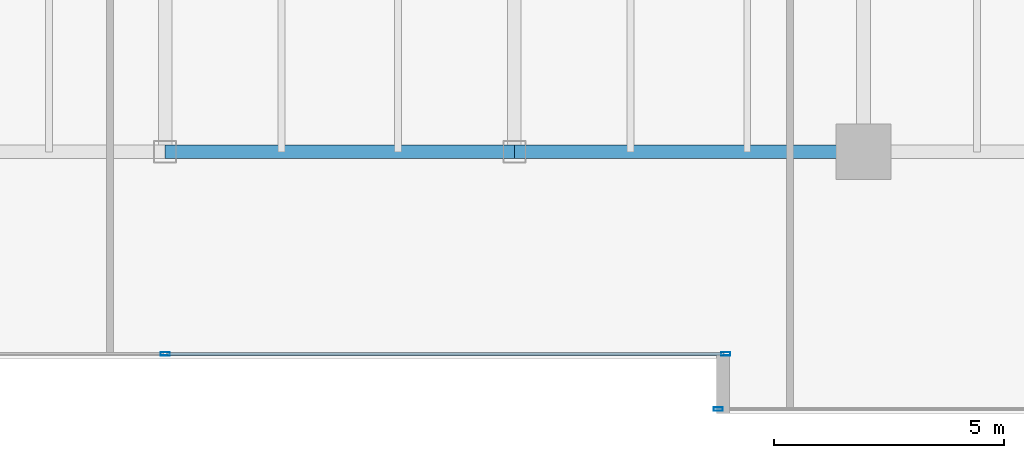
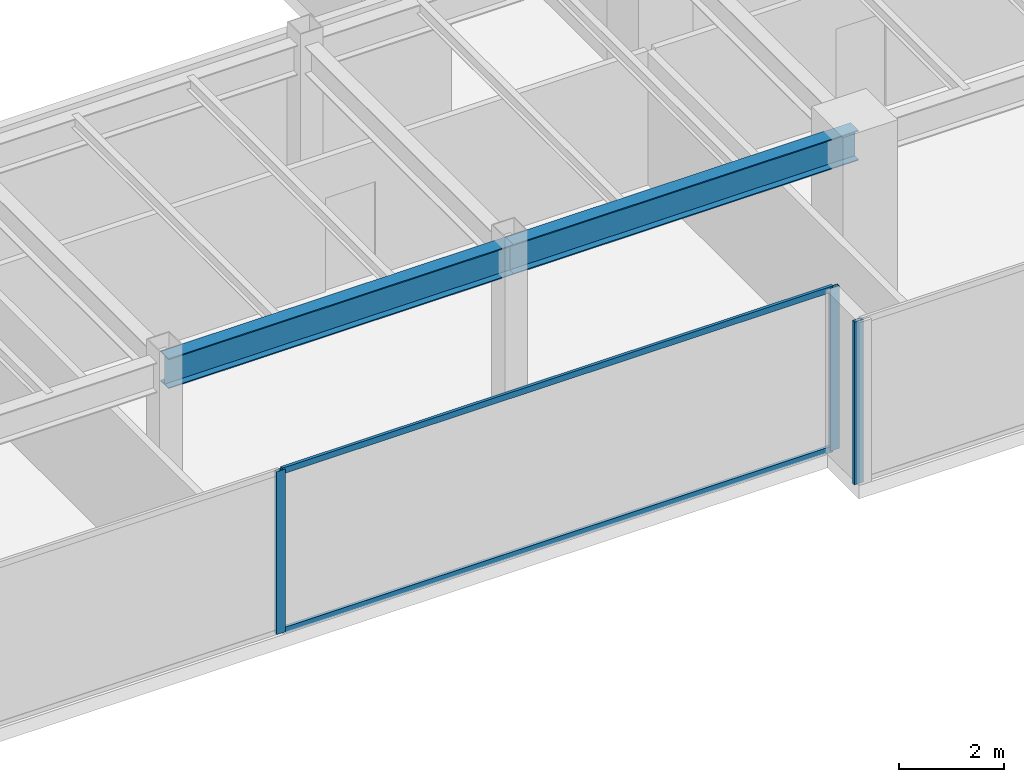
# One storey, part 10 of 30: 5 members, 2 beams, 2 elements without a shape of their own.
"""IFC4 building model written with IfcOpenShell, lengths in metres."""

from ifc_helpers import new_model, si_unit, direction, frame, origin, origin_2d, place, context, subcontext, project, spatial, hollow_rectangle, i_section, extrude, source, transform, mapped, material, layer, layer_set, material_profile, profile_set, type_object, type_shapes, element, aggregate, save


model = new_model("IFC4")

# Units and contexts
model_context = context("Model", 3, precision=1e-05, world=origin(), true_north=direction((0.0, 1.0)))
body_context = subcontext(model_context, "Body", "Model", "MODEL_VIEW")
ifc_project = project(units=[si_unit("LENGTHUNIT", "METRE"), si_unit("AREAUNIT", "SQUARE_METRE"), si_unit("VOLUMEUNIT", "CUBIC_METRE"), si_unit("PLANEANGLEUNIT", "RADIAN"), si_unit("MASSUNIT", "GRAM", prefix="KILO")], contexts=[model_context])

# Site, building, storey
site_placement = place(None, origin())
site = spatial("IfcSite", under=ifc_project, at=site_placement, CompositionType="ELEMENT")
building_placement = place(site_placement, origin())
building = spatial("IfcBuilding", under=site, at=building_placement, Name="Haelvirn Gate Laboratories", CompositionType="ELEMENT")
storey_placement = place(building_placement, frame((0.0, 0.0, 129.699951171875)))
storey = spatial("IfcBuildingStorey", under=building, at=storey_placement, Name="L31", CompositionType="ELEMENT", Elevation=129.699951171875)

# Beams
ifc_material_1 = material(Name="Steel SM355", Category="steel")
ifc_material_profile_1 = material_profile(ifc_material_1, i_section(OverallWidth=0.300048828125, OverallDepth=0.699951171875, WebThickness=0.012939453125, FlangeThickness=0.02392578125, at=origin_2d()), Name="H-700x300x13x24")
ifc_profile_set_1 = profile_set([ifc_material_profile_1], Name="Steel SM355")
beam_type = type_object("IfcBeamType", Name="BM-G-700", PredefinedType="BEAM", material=ifc_profile_set_1)
shared_shape_1 = source(origin(), body_context, "Body", "SweptSolid", [
    extrude(i_section(OverallWidth=0.300048828125, OverallDepth=0.699951171875, WebThickness=0.012939453125, FlangeThickness=0.02392578125, at=origin_2d()), origin(), (0.0, 0.0, 1.0), 7.60009765625),
])
type_shapes(beam_type, [shared_shape_1])
for number, where, z_axis, x_axis, name in (
    (1, (37.39990234375, 7.0, 3.43994140625), (1.0, 0.0, 0.0), (0.0, 1.0, 0.0), "L31 Primary Girder Y7.0 (37.4-45.0)"),
    (2, (45.0, 7.0, 3.43994140625), (1.0, 0.0, 0.0), (0.0, 1.0, 0.0), "L31 Primary Girder Y7.0 (45.0-52.6)"),
):
    element("IfcBeam", number, at=place(storey_placement, frame(where, z_axis=z_axis, x_axis=x_axis)), inside=storey, type_object=beam_type, Name=name, PredefinedType="BEAM", context=body_context, shape_type="MappedRepresentation", body=[
        mapped(shared_shape_1, transform((0.0, 0.0, 0.0), scale=1.0)),
    ])

# Curtain wall, members
ifc_material_2 = material(Name="Anodised bronze unitised aluminium & triple low-E glass", Category="aluminium")
ifc_layer = layer(ifc_material_2, 0.179931640625, Name="CW-SYS-3")
ifc_layer_set = layer_set([ifc_layer], Name="Anodised bronze unitised aluminium & triple low-E glass")
curtain_wall_type = type_object("IfcCurtainWallType", Name="CW-SYS-3", PredefinedType="NOTDEFINED", material=ifc_layer_set)
curtain_wall_1_placement = place(storey_placement, origin())
curtain_wall_1 = element("IfcCurtainWall", 3, at=curtain_wall_1_placement, inside=storey, type_object=curtain_wall_type, Name="L31 Unitised Curtain Wall CW-L31-P0-E02-1", PredefinedType="NOTDEFINED")
ifc_material_3 = material(Name="Extruded aluminium 6063-T6 (anodised bronze)", Category="aluminium")
ifc_material_profile_2 = material_profile(ifc_material_3, hollow_rectangle(XDim=0.06494140625, YDim=0.139892578125, WallThickness=0.00390625, at=origin_2d()), Name="CWT-140x65x4")
ifc_profile_set_2 = profile_set([ifc_material_profile_2], Name="Extruded aluminium 6063-T6 (anodised bronze)")
member_type_1 = type_object("IfcMemberType", Name="CWT-T140", PredefinedType="USERDEFINED", material=ifc_profile_set_2)
shared_shape_2 = source(origin(), body_context, "Body", "SweptSolid", [
    extrude(hollow_rectangle(XDim=0.06494140625, YDim=0.139892578125, WallThickness=0.00390625, at=origin_2d()), origin(), (0.0, 0.0, 1.0), 12.12744140625),
])
type_shapes(member_type_1, [shared_shape_2])
member_1_placement = place(storey_placement, frame((37.4375, 2.60009765625, 0.032470703125), z_axis=(1.0, 0.0, 0.0), x_axis=(0.0, 1.0, 0.0)))
member_1 = element("IfcMember", 4, at=member_1_placement, type_object=member_type_1, Name="CW3 transom 2.1", ObjectType="TRANSOM", PredefinedType="USERDEFINED", context=body_context, shape_type="MappedRepresentation", body=[
    mapped(shared_shape_2, transform((0.0, 0.0, 0.0), scale=1.0)),
])
member_2_placement = place(storey_placement, frame((37.4375, 2.60009765625, 3.757568359375), z_axis=(1.0, 0.0, 0.0), x_axis=(0.0, 1.0, 0.0)))
member_2 = element("IfcMember", 5, at=member_2_placement, type_object=member_type_1, Name="CW3 transom 2.2", ObjectType="TRANSOM", PredefinedType="USERDEFINED", context=body_context, shape_type="MappedRepresentation", body=[
    mapped(shared_shape_2, transform((0.0, 0.0, 0.0), scale=1.0)),
])
ifc_material_profile_3 = material_profile(ifc_material_3, hollow_rectangle(XDim=0.074951171875, YDim=0.199951171875, WallThickness=0.0048828125, at=origin_2d()), Name="CWM-200x75x5")
ifc_profile_set_3 = profile_set([ifc_material_profile_3], Name="Extruded aluminium 6063-T6 (anodised bronze)")
member_type_2 = type_object("IfcMemberType", Name="CWM-T200", PredefinedType="MULLION", material=ifc_profile_set_3)
shared_shape_3 = source(origin(), body_context, "Body", "SweptSolid", [
    extrude(hollow_rectangle(XDim=0.074951171875, YDim=0.199951171875, WallThickness=0.0048828125, at=origin_2d()), origin(), (0.0, 0.0, 1.0), 3.7900390625),
])
type_shapes(member_type_2, [shared_shape_3])
member_3_placement = place(storey_placement, frame((37.39990234375, 2.60009765625, 0.0), z_axis=(0.0, 0.0, 1.0), x_axis=(0.0, 1.0, 0.0)))
member_3 = element("IfcMember", 6, at=member_3_placement, type_object=member_type_2, Name="CW3 mullion 2", PredefinedType="MULLION", context=body_context, shape_type="MappedRepresentation", body=[
    mapped(shared_shape_3, transform((0.0, 0.0, 0.0), scale=1.0)),
])
member_4_placement = place(storey_placement, frame((49.6025390625, 2.60009765625, 0.0), z_axis=(0.0, 0.0, 1.0), x_axis=(0.0, 1.0, 0.0)))
member_4 = element("IfcMember", 7, at=member_4_placement, type_object=member_type_2, Name="CW3 mullion 3", PredefinedType="MULLION", context=body_context, shape_type="MappedRepresentation", body=[
    mapped(shared_shape_3, transform((0.0, 0.0, 0.0), scale=1.0)),
])
aggregate(curtain_wall_1, [member_3, member_4, member_1, member_2])

# Curtain wall, member
curtain_wall_2_placement = place(storey_placement, origin())
curtain_wall_2 = element("IfcCurtainWall", 8, at=curtain_wall_2_placement, inside=storey, type_object=curtain_wall_type, Name="L31 Unitised Curtain Wall CW-L31-P0-E04-1", PredefinedType="NOTDEFINED")
member_5_placement = place(storey_placement, frame((49.4375, 1.39990234375, 0.0), z_axis=(0.0, 0.0, 1.0), x_axis=(0.0, 1.0, 0.0)))
member_5 = element("IfcMember", 9, at=member_5_placement, type_object=member_type_2, Name="CW3 mullion 1", PredefinedType="MULLION", context=body_context, shape_type="MappedRepresentation", body=[
    mapped(shared_shape_3, transform((0.0, 0.0, 0.0), scale=1.0)),
])
aggregate(curtain_wall_2, [member_5])

save(model, "model.ifc")
